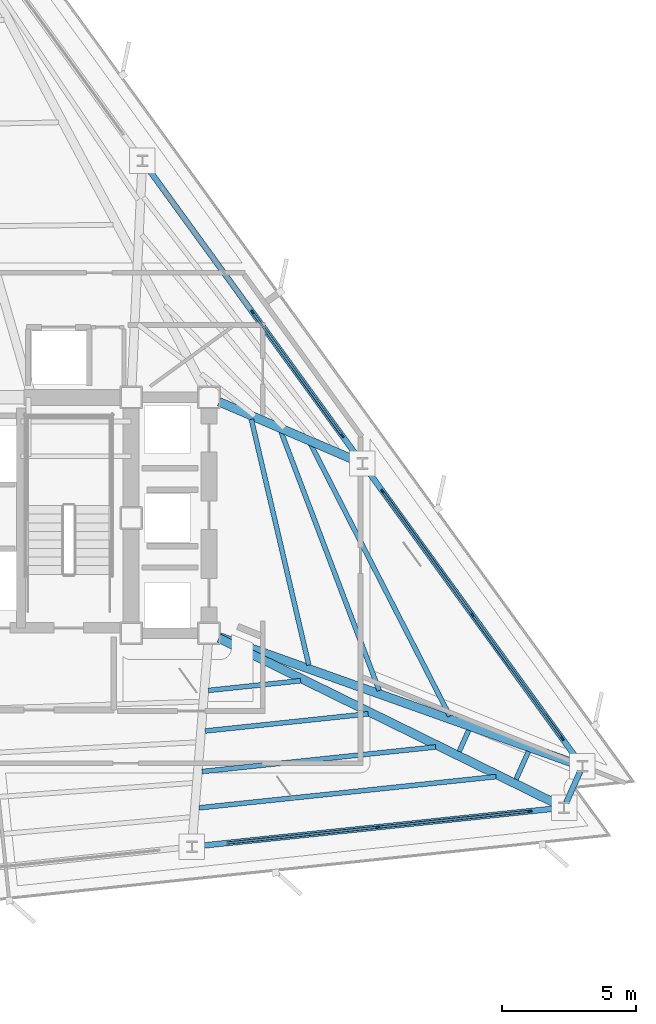
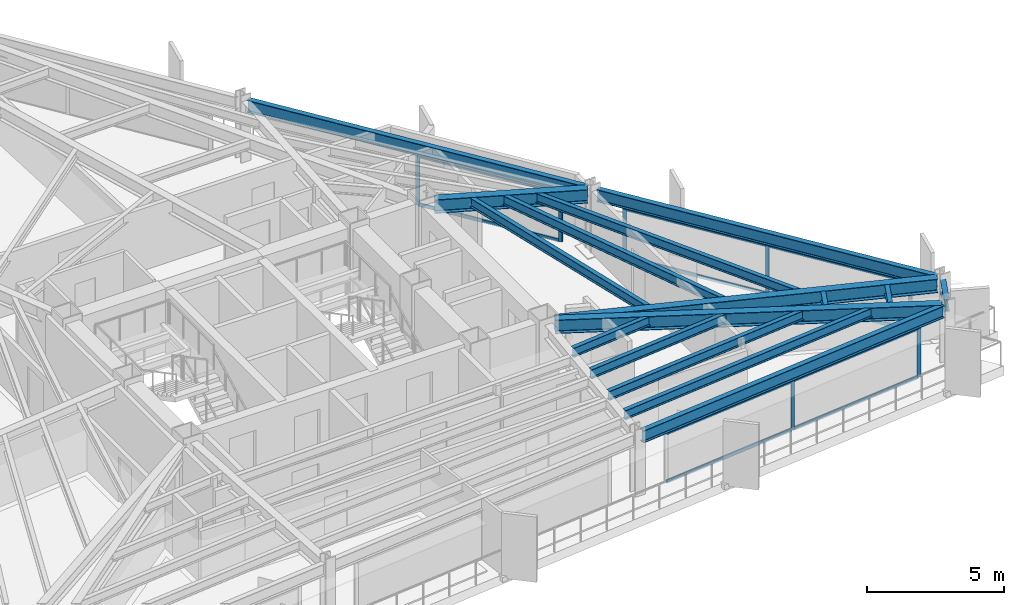
# One storey, part 5 of 12: 17 members, 16 beams, 3 elements without a shape of their own.
"""IFC4 building model written with IfcOpenShell, lengths in metres."""

from ifc_helpers import new_model, si_unit, direction, frame, origin, origin_2d, place, context, subcontext, project, spatial, rectangle, i_section, extrude, material, layer, layer_set, material_profile, profile_set, type_object, element, aggregate, save


model = new_model("IFC4")

# Units and contexts
model_context = context("Model", 3, precision=1e-05, world=origin(), true_north=direction((0.0, 1.0)))
body_context = subcontext(model_context, "Body", "Model", "MODEL_VIEW")
ifc_project = project(units=[si_unit("LENGTHUNIT", "METRE"), si_unit("AREAUNIT", "SQUARE_METRE"), si_unit("VOLUMEUNIT", "CUBIC_METRE"), si_unit("PLANEANGLEUNIT", "RADIAN"), si_unit("MASSUNIT", "GRAM", prefix="KILO")], contexts=[model_context])

# Site, building, storey
site_placement = place(None, origin())
site = spatial("IfcSite", under=ifc_project, at=site_placement, CompositionType="ELEMENT")
building_placement = place(site_placement, origin())
building = spatial("IfcBuilding", under=site, at=building_placement, Name="Rocaltana Carrier Exchange", CompositionType="ELEMENT")
storey_placement = place(building_placement, frame((0.0, 0.0, 104.639892578125)))
storey = spatial("IfcBuildingStorey", under=building, at=storey_placement, Name="L32", CompositionType="ELEMENT", Elevation=104.639892578125)

# Curtain wall, members
ifc_material_1 = material(Name="Aluminium 6063-T6", Category="aluminium")
ifc_layer = layer(ifc_material_1, 0.14990234375)
ifc_layer_set = layer_set([ifc_layer], Name="Aluminium 6063-T6")
curtain_wall_type = type_object("IfcCurtainWallType", Name="Mid-Tower Unitised Curtain Wall CW-03", PredefinedType="NOTDEFINED", material=ifc_layer_set)
curtain_wall_1_placement = place(storey_placement, origin())
curtain_wall_1 = element("IfcCurtainWall", 1, at=curtain_wall_1_placement, inside=storey, type_object=curtain_wall_type, Name="L32 CW-03 Run CW-L32-F1S1", PredefinedType="NOTDEFINED")
ifc_material_2 = material(Name="Aluminium 6063-T6", Category="aluminium")
ifc_material_profile_1 = material_profile(ifc_material_2, rectangle(XDim=0.06005859375, YDim=0.14990234375, at=origin_2d()), Name="AL-60X150")
ifc_profile_set_1 = profile_set([ifc_material_profile_1], Name="Aluminium 6063-T6")
member_type_1 = type_object("IfcMemberType", Name="CW-03 Mullion AL-60X150", PredefinedType="MULLION", material=ifc_profile_set_1)
member_1_placement = place(storey_placement, frame((22.13427734375, -8.23193359375, 0.0), z_axis=(0.0, 0.0, 1.0), x_axis=(-0.809013555195, -0.587789985889, 0.0)))
member_1 = element("IfcMember", 2, at=member_1_placement, type_object=member_type_1, Name="CW-03 mullion 1", PredefinedType="MULLION", context=body_context, shape_type="SweptSolid", body=[
    extrude(rectangle(XDim=0.06005859375, YDim=0.14990234375, at=origin_2d()), origin(), (0.0, 0.0, 1.0), 2.218017578125),
])
member_2_placement = place(storey_placement, frame((18.781982421875, -3.617919921875, 0.0), z_axis=(0.0, 0.0, 1.0), x_axis=(-0.809013555195, -0.587789985889, 0.0)))
member_2 = element("IfcMember", 3, at=member_2_placement, type_object=member_type_1, Name="CW-03 mullion 2", PredefinedType="MULLION", context=body_context, shape_type="SweptSolid", body=[
    extrude(rectangle(XDim=0.06005859375, YDim=0.14990234375, at=origin_2d()), origin(), (0.0, 0.0, 1.0), 2.218017578125),
])
member_3_placement = place(storey_placement, frame((15.429443359375, 0.99609375, 0.0), z_axis=(0.0, 0.0, 1.0), x_axis=(-0.809013555195, -0.587789985889, 0.0)))
member_3 = element("IfcMember", 4, at=member_3_placement, type_object=member_type_1, Name="CW-03 mullion 3", PredefinedType="MULLION", context=body_context, shape_type="SweptSolid", body=[
    extrude(rectangle(XDim=0.06005859375, YDim=0.14990234375, at=origin_2d()), origin(), (0.0, 0.0, 1.0), 2.218017578125),
])

curtain_wall_2_placement = place(storey_placement, origin())
curtain_wall_2 = element("IfcCurtainWall", 5, at=curtain_wall_2_placement, inside=storey, type_object=curtain_wall_type, Name="L32 CW-03 Run CW-L32-F1S2", PredefinedType="NOTDEFINED")
member_4_placement = place(storey_placement, frame((13.9248046875, 3.0673828125, 0.0), z_axis=(0.0, 0.0, 1.0), x_axis=(-0.809013555195, -0.587789985889, 0.0)))
member_4 = element("IfcMember", 6, at=member_4_placement, type_object=member_type_1, Name="CW-03 mullion 1", PredefinedType="MULLION", context=body_context, shape_type="SweptSolid", body=[
    extrude(rectangle(XDim=0.06005859375, YDim=0.14990234375, at=origin_2d()), origin(), (0.0, 0.0, 1.0), 2.218017578125),
])
member_5_placement = place(storey_placement, frame((10.572509765625, 7.681396484375, 0.0), z_axis=(0.0, 0.0, 1.0), x_axis=(-0.809013555195, -0.587789985889, 0.0)))
member_5 = element("IfcMember", 7, at=member_5_placement, type_object=member_type_1, Name="CW-03 mullion 2", PredefinedType="MULLION", context=body_context, shape_type="SweptSolid", body=[
    extrude(rectangle(XDim=0.06005859375, YDim=0.14990234375, at=origin_2d()), origin(), (0.0, 0.0, 1.0), 2.218017578125),
])

curtain_wall_3_placement = place(storey_placement, origin())
curtain_wall_3 = element("IfcCurtainWall", 8, at=curtain_wall_3_placement, inside=storey, type_object=curtain_wall_type, Name="L32 CW-03 Run CW-L32-F3S3", PredefinedType="NOTDEFINED")
member_6_placement = place(storey_placement, frame((15.256103515625, -11.536865234375, 0.0), z_axis=(0.0, 0.0, 1.0), x_axis=(-0.104521806959, 0.994522594952, 0.0)))
member_6 = element("IfcMember", 9, at=member_6_placement, type_object=member_type_1, Name="CW-03 mullion 2", PredefinedType="MULLION", context=body_context, shape_type="SweptSolid", body=[
    extrude(rectangle(XDim=0.06005859375, YDim=0.14990234375, at=origin_2d()), origin(), (0.0, 0.0, 1.0), 2.218017578125),
])
member_7_placement = place(storey_placement, frame((20.92822265625, -10.940673828125, 0.0), z_axis=(0.0, 0.0, 1.0), x_axis=(-0.104521806959, 0.994522594952, 0.0)))
member_7 = element("IfcMember", 10, at=member_7_placement, type_object=member_type_1, Name="CW-03 mullion 3", PredefinedType="MULLION", context=body_context, shape_type="SweptSolid", body=[
    extrude(rectangle(XDim=0.06005859375, YDim=0.14990234375, at=origin_2d()), origin(), (0.0, 0.0, 1.0), 2.218017578125),
])

# Member
ifc_material_3 = material(Name="Aluminium 6063-T6", Category="aluminium")
ifc_material_profile_2 = material_profile(ifc_material_3, rectangle(XDim=0.06005859375, YDim=0.14990234375, at=origin_2d()), Name="AL-60X150")
ifc_profile_set_2 = profile_set([ifc_material_profile_2], Name="Aluminium 6063-T6")
member_type_2 = type_object("IfcMemberType", Name="CW-03 Transom AL-60X150", PredefinedType="USERDEFINED", material=ifc_profile_set_2)
member_8_placement = place(storey_placement, frame((22.11669921875, -8.207763671875, 0.030029296875), z_axis=(-0.587803791035, 0.809003524866, 0.0), x_axis=(-0.809003524866, -0.587803791035, 0.0)))
member_8 = element("IfcMember", 11, at=member_8_placement, type_object=member_type_2, Name="CW-03 transom 1.1", ObjectType="TRANSOM", PredefinedType="USERDEFINED", context=body_context, shape_type="SweptSolid", body=[
    extrude(rectangle(XDim=0.06005859375, YDim=0.14990234375, at=origin_2d()), origin(), (0.0, 0.0, 1.0), 5.643310546875),
])

member_9_placement = place(storey_placement, frame((22.11669921875, -8.207763671875, 2.18798828125), z_axis=(-0.587803791035, 0.809003524866, 0.0), x_axis=(-0.809003524866, -0.587803791035, 0.0)))
member_9 = element("IfcMember", 12, at=member_9_placement, type_object=member_type_2, Name="CW-03 transom 1.2", ObjectType="TRANSOM", PredefinedType="USERDEFINED", context=body_context, shape_type="SweptSolid", body=[
    extrude(rectangle(XDim=0.06005859375, YDim=0.14990234375, at=origin_2d()), origin(), (0.0, 0.0, 1.0), 5.643310546875),
])

member_10_placement = place(storey_placement, frame((18.76416015625, -3.59375, 0.030029296875), z_axis=(-0.587754903167, 0.809039043436, 0.0), x_axis=(-0.809039043436, -0.587754903167, 0.0)))
member_10 = element("IfcMember", 13, at=member_10_placement, type_object=member_type_2, Name="CW-03 transom 2.1", ObjectType="TRANSOM", PredefinedType="USERDEFINED", context=body_context, shape_type="SweptSolid", body=[
    extrude(rectangle(XDim=0.06005859375, YDim=0.14990234375, at=origin_2d()), origin(), (0.0, 0.0, 1.0), 5.643310546875),
])

member_11_placement = place(storey_placement, frame((18.76416015625, -3.59375, 2.18798828125), z_axis=(-0.587754903167, 0.809039043436, 0.0), x_axis=(-0.809039043436, -0.587754903167, 0.0)))
member_11 = element("IfcMember", 14, at=member_11_placement, type_object=member_type_2, Name="CW-03 transom 2.2", ObjectType="TRANSOM", PredefinedType="USERDEFINED", context=body_context, shape_type="SweptSolid", body=[
    extrude(rectangle(XDim=0.06005859375, YDim=0.14990234375, at=origin_2d()), origin(), (0.0, 0.0, 1.0), 5.643310546875),
])

aggregate(curtain_wall_1, [member_1, member_2, member_3, member_8, member_9, member_10, member_11])

member_12_placement = place(storey_placement, frame((13.9072265625, 3.091552734375, 0.030029296875), z_axis=(-0.587803791035, 0.809003524866, 0.0), x_axis=(-0.809003524866, -0.587803791035, 0.0)))
member_12 = element("IfcMember", 15, at=member_12_placement, type_object=member_type_2, Name="CW-03 transom 1.1", ObjectType="TRANSOM", PredefinedType="USERDEFINED", context=body_context, shape_type="SweptSolid", body=[
    extrude(rectangle(XDim=0.06005859375, YDim=0.14990234375, at=origin_2d()), origin(), (0.0, 0.0, 1.0), 5.643310546875),
])

member_13_placement = place(storey_placement, frame((13.9072265625, 3.091552734375, 2.18798828125), z_axis=(-0.587803791035, 0.809003524866, 0.0), x_axis=(-0.809003524866, -0.587803791035, 0.0)))
member_13 = element("IfcMember", 16, at=member_13_placement, type_object=member_type_2, Name="CW-03 transom 1.2", ObjectType="TRANSOM", PredefinedType="USERDEFINED", context=body_context, shape_type="SweptSolid", body=[
    extrude(rectangle(XDim=0.06005859375, YDim=0.14990234375, at=origin_2d()), origin(), (0.0, 0.0, 1.0), 5.643310546875),
])

aggregate(curtain_wall_2, [member_4, member_5, member_12, member_13])

member_14_placement = place(storey_placement, frame((9.614013671875, -12.129638671875, 0.030029296875), z_axis=(0.99452250772, 0.104522636969, 0.0), x_axis=(-0.104522636969, 0.99452250772, 0.0)))
member_14 = element("IfcMember", 17, at=member_14_placement, type_object=member_type_2, Name="CW-03 transom 1.1", ObjectType="TRANSOM", PredefinedType="USERDEFINED", context=body_context, shape_type="SweptSolid", body=[
    extrude(rectangle(XDim=0.06005859375, YDim=0.14990234375, at=origin_2d()), origin(), (0.0, 0.0, 1.0), 5.643310546875),
])

member_15_placement = place(storey_placement, frame((9.614013671875, -12.129638671875, 2.18798828125), z_axis=(0.99452250772, 0.104522636969, 0.0), x_axis=(-0.104522636969, 0.99452250772, 0.0)))
member_15 = element("IfcMember", 18, at=member_15_placement, type_object=member_type_2, Name="CW-03 transom 1.2", ObjectType="TRANSOM", PredefinedType="USERDEFINED", context=body_context, shape_type="SweptSolid", body=[
    extrude(rectangle(XDim=0.06005859375, YDim=0.14990234375, at=origin_2d()), origin(), (0.0, 0.0, 1.0), 5.643310546875),
])

member_16_placement = place(storey_placement, frame((15.285888671875, -11.53369140625, 0.030029296875), z_axis=(0.994522980333, 0.104518140001, 0.0), x_axis=(-0.104518140001, 0.994522980333, 0.0)))
member_16 = element("IfcMember", 19, at=member_16_placement, type_object=member_type_2, Name="CW-03 transom 2.1", ObjectType="TRANSOM", PredefinedType="USERDEFINED", context=body_context, shape_type="SweptSolid", body=[
    extrude(rectangle(XDim=0.06005859375, YDim=0.14990234375, at=origin_2d()), origin(), (0.0, 0.0, 1.0), 5.6435546875),
])

member_17_placement = place(storey_placement, frame((15.285888671875, -11.53369140625, 2.18798828125), z_axis=(0.994522980333, 0.104518140001, 0.0), x_axis=(-0.104518140001, 0.994522980333, 0.0)))
member_17 = element("IfcMember", 20, at=member_17_placement, type_object=member_type_2, Name="CW-03 transom 2.2", ObjectType="TRANSOM", PredefinedType="USERDEFINED", context=body_context, shape_type="SweptSolid", body=[
    extrude(rectangle(XDim=0.06005859375, YDim=0.14990234375, at=origin_2d()), origin(), (0.0, 0.0, 1.0), 5.6435546875),
])

aggregate(curtain_wall_3, [member_6, member_7, member_14, member_15, member_16, member_17])

# Beams
ifc_material_4 = material(Name="Steel S355", Category="steel")
ifc_material_profile_3 = material_profile(ifc_material_4, i_section(OverallWidth=0.179931640625, OverallDepth=0.4130859375, WebThickness=0.009765625, FlangeThickness=0.01611328125, FilletRadius=0.012939453125, at=origin_2d()), Name="W16X50")
ifc_profile_set_3 = profile_set([ifc_material_profile_3], Name="Steel S355")
beam_type_1 = type_object("IfcBeamType", Name="Floor Joist W16X50", PredefinedType="JOIST", material=ifc_profile_set_3)
beam_1_placement = place(storey_placement, frame((12.67724609375, -5.489501953125, 2.58154296875), z_axis=(-0.227766297883, 0.973715827924, 0.0), x_axis=(-0.973715827924, -0.227766297883, 0.0)))
element("IfcBeam", 21, at=beam_1_placement, inside=storey, type_object=beam_type_1, Name="FJ-L32-01-1", PredefinedType="JOIST", context=body_context, shape_type="SweptSolid", body=[
    extrude(i_section(OverallWidth=0.179931640625, OverallDepth=0.4130859375, WebThickness=0.009765625, FlangeThickness=0.01611328125, FilletRadius=0.012939453125, at=origin_2d()), origin(), (0.0, 0.0, 1.0), 9.418701171875),
])
beam_2_placement = place(storey_placement, frame((15.305419921875, -6.439208984375, 2.58154296875), z_axis=(-0.35483732757, 0.934928056571, 0.0), x_axis=(-0.934928056571, -0.35483732757, 0.0)))
element("IfcBeam", 22, at=beam_2_placement, inside=storey, type_object=beam_type_1, Name="FJ-L32-01-2", PredefinedType="JOIST", context=body_context, shape_type="SweptSolid", body=[
    extrude(i_section(OverallWidth=0.179931640625, OverallDepth=0.4130859375, WebThickness=0.009765625, FlangeThickness=0.01611328125, FilletRadius=0.012939453125, at=origin_2d()), origin(), (0.0, 0.0, 1.0), 10.330078125),
])
beam_3_placement = place(storey_placement, frame((17.937744140625, -7.39013671875, 2.58154296875), z_axis=(-0.455649490969, 0.890159278657, 0.0), x_axis=(-0.890159278657, -0.455649490969, 0.0)))
element("IfcBeam", 23, at=beam_3_placement, inside=storey, type_object=beam_type_1, Name="FJ-L32-01-3", PredefinedType="JOIST", context=body_context, shape_type="SweptSolid", body=[
    extrude(i_section(OverallWidth=0.179931640625, OverallDepth=0.4130859375, WebThickness=0.009765625, FlangeThickness=0.01611328125, FilletRadius=0.012939453125, at=origin_2d()), origin(), (0.0, 0.0, 1.0), 11.398681640625),
])
beam_4_placement = place(storey_placement, frame((8.9326171875, -6.434814453125, 2.58154296875), z_axis=(0.994514730504, 0.104596609936, 0.0), x_axis=(-0.104596609936, 0.994514730504, 0.0)))
element("IfcBeam", 24, at=beam_4_placement, inside=storey, type_object=beam_type_1, Name="FJ-L32-11-1", PredefinedType="JOIST", context=body_context, shape_type="SweptSolid", body=[
    extrude(i_section(OverallWidth=0.179931640625, OverallDepth=0.4130859375, WebThickness=0.009765625, FlangeThickness=0.01611328125, FilletRadius=0.012939453125, at=origin_2d()), origin(), (0.0, 0.0, 1.0), 3.459228515625),
])
beam_5_placement = place(storey_placement, frame((8.811279296875, -7.948486328125, 2.58154296875), z_axis=(0.994518139026, 0.104564196304, 0.0), x_axis=(-0.104564196304, 0.994518139026, 0.0)))
element("IfcBeam", 25, at=beam_5_placement, inside=storey, type_object=beam_type_1, Name="FJ-L32-11-2", PredefinedType="JOIST", context=body_context, shape_type="SweptSolid", body=[
    extrude(i_section(OverallWidth=0.179931640625, OverallDepth=0.4130859375, WebThickness=0.009765625, FlangeThickness=0.01611328125, FilletRadius=0.012939453125, at=origin_2d()), origin(), (0.0, 0.0, 1.0), 6.112548828125),
])
beam_6_placement = place(storey_placement, frame((8.68994140625, -9.4619140625, 2.58154296875), z_axis=(0.994522683524, 0.104520964191, 0.0), x_axis=(-0.104520964191, 0.994522683524, 0.0)))
element("IfcBeam", 26, at=beam_6_placement, inside=storey, type_object=beam_type_1, Name="FJ-L32-11-3", PredefinedType="JOIST", context=body_context, shape_type="SweptSolid", body=[
    extrude(i_section(OverallWidth=0.179931640625, OverallDepth=0.4130859375, WebThickness=0.009765625, FlangeThickness=0.01611328125, FilletRadius=0.012939453125, at=origin_2d()), origin(), (0.0, 0.0, 1.0), 8.766357421875),
])
beam_7_placement = place(storey_placement, frame((8.581298828125, -10.81640625, 2.58154296875), z_axis=(0.994521531783, 0.104531922494, 0.0), x_axis=(-0.104531922494, 0.994521531783, 0.0)))
element("IfcBeam", 27, at=beam_7_placement, inside=storey, type_object=beam_type_1, Name="FJ-L32-11-4", PredefinedType="JOIST", context=body_context, shape_type="SweptSolid", body=[
    extrude(i_section(OverallWidth=0.179931640625, OverallDepth=0.4130859375, WebThickness=0.009765625, FlangeThickness=0.01611328125, FilletRadius=0.012939453125, at=origin_2d()), origin(), (0.0, 0.0, 1.0), 11.140625),
])
beam_8_placement = place(storey_placement, frame((18.289306640625, -8.71240234375, 2.58154296875), z_axis=(0.406686773762, 0.913567659261, 0.0), x_axis=(-0.913567659261, 0.406686773762, 0.0)))
element("IfcBeam", 28, at=beam_8_placement, inside=storey, type_object=beam_type_1, Name="FJ-L32-12-3", PredefinedType="JOIST", context=body_context, shape_type="SweptSolid", body=[
    extrude(i_section(OverallWidth=0.179931640625, OverallDepth=0.4130859375, WebThickness=0.009765625, FlangeThickness=0.01611328125, FilletRadius=0.012939453125, at=origin_2d()), origin(), (0.0, 0.0, 1.0), 0.867431640625),
])
beam_9_placement = place(storey_placement, frame((20.409423828125, -9.75341796875, 2.58154296875), z_axis=(0.40683553357, 0.913501422344, 0.0), x_axis=(-0.913501422344, 0.40683553357, 0.0)))
element("IfcBeam", 29, at=beam_9_placement, inside=storey, type_object=beam_type_1, Name="FJ-L32-12-4", PredefinedType="JOIST", context=body_context, shape_type="SweptSolid", body=[
    extrude(i_section(OverallWidth=0.179931640625, OverallDepth=0.4130859375, WebThickness=0.009765625, FlangeThickness=0.01611328125, FilletRadius=0.012939453125, at=origin_2d()), origin(), (0.0, 0.0, 1.0), 1.13720703125),
])
ifc_material_5 = material(Name="Steel S355", Category="steel")
ifc_material_profile_4 = material_profile(ifc_material_5, i_section(OverallWidth=0.323974609375, OverallDepth=0.611083984375, WebThickness=0.0126953125, FlangeThickness=0.01904296875, FilletRadius=0.01611328125, at=origin_2d()), Name="W24X104")
ifc_profile_set_4 = profile_set([ifc_material_profile_4], Name="Steel S355")
beam_type_2 = type_object("IfcBeamType", Name="Radial Girder W24X104", PredefinedType="BEAM", material=ifc_profile_set_4)
beam_10_placement = place(storey_placement, frame((9.3427734375, -4.43994140625, 2.482666015625), z_axis=(0.941948954034, -0.335756113861, 0.0), x_axis=(0.335756113861, 0.941948954034, 0.0)))
element("IfcBeam", 30, at=beam_10_placement, inside=storey, type_object=beam_type_2, Name="RG-L32-01", PredefinedType="BEAM", context=body_context, shape_type="SweptSolid", body=[
    extrude(i_section(OverallWidth=0.323974609375, OverallDepth=0.611083984375, WebThickness=0.0126953125, FlangeThickness=0.01904296875, FilletRadius=0.01611328125, at=origin_2d()), origin(), (0.0, 0.0, 1.0), 14.1806640625),
])
beam_11_placement = place(storey_placement, frame((9.3330078125, 4.3349609375, 2.482666015625), z_axis=(0.918343410817, -0.395784511836, 0.0), x_axis=(0.395784511836, 0.918343410817, 0.0)))
element("IfcBeam", 31, at=beam_11_placement, inside=storey, type_object=beam_type_2, Name="RG-L32-02", PredefinedType="BEAM", context=body_context, shape_type="SweptSolid", body=[
    extrude(i_section(OverallWidth=0.323974609375, OverallDepth=0.611083984375, WebThickness=0.0126953125, FlangeThickness=0.01904296875, FilletRadius=0.01611328125, at=origin_2d()), origin(), (0.0, 0.0, 1.0), 5.621337890625),
])
beam_12_placement = place(storey_placement, frame((9.32421875, -4.48388671875, 2.482666015625), z_axis=(0.897627517293, -0.440754852722, 0.0), x_axis=(0.440754852722, 0.897627517293, 0.0)))
element("IfcBeam", 32, at=beam_12_placement, inside=storey, type_object=beam_type_2, Name="RG-L32-12", PredefinedType="BEAM", context=body_context, shape_type="SweptSolid", body=[
    extrude(i_section(OverallWidth=0.323974609375, OverallDepth=0.611083984375, WebThickness=0.0126953125, FlangeThickness=0.01904296875, FilletRadius=0.01611328125, at=origin_2d()), origin(), (0.0, 0.0, 1.0), 14.1474609375),
])
ifc_material_6 = material(Name="Steel S355", Category="steel")
ifc_material_profile_5 = material_profile(ifc_material_6, i_section(OverallWidth=0.2119140625, OverallDepth=0.5439453125, WebThickness=0.01318359375, FlangeThickness=0.021240234375, FilletRadius=0.014892578125, at=origin_2d()), Name="W21X83")
ifc_profile_set_5 = profile_set([ifc_material_profile_5], Name="Steel S355")
beam_type_3 = type_object("IfcBeamType", Name="Spandrel Edge Beam W21X83", PredefinedType="SPANDREL", material=ifc_profile_set_5)
for number, where, z_axis, x_axis, name in (
    (33, (22.770263671875, -9.107421875, 2.51611328125), (-0.587777981524, 0.809022276847, 0.0), (-0.809022276847, -0.587777981524, 0.0), "SP-L32-01"),
    (34, (14.560791015625, 2.19189453125, 2.51611328125), (-0.587777981524, 0.809022276847, 0.0), (-0.809022276847, -0.587777981524, 0.0), "SP-L32-02"),
    (35, (8.508056640625, -12.24609375, 2.51611328125), (0.99452052486, 0.104541501962, 0.0), (-0.104541501962, 0.99452052486, 0.0), "SP-L32-11"),
):
    element("IfcBeam", number, at=place(storey_placement, frame(where, z_axis=z_axis, x_axis=x_axis)), inside=storey, type_object=beam_type_3, Name=name, PredefinedType="SPANDREL", context=body_context, shape_type="SweptSolid", body=[
        extrude(i_section(OverallWidth=0.2119140625, OverallDepth=0.5439453125, WebThickness=0.01318359375, FlangeThickness=0.021240234375, FilletRadius=0.014892578125, at=origin_2d()), origin(), (0.0, 0.0, 1.0), 13.57080078125),
    ])
beam_13_placement = place(storey_placement, frame((22.28173828125, -10.6259765625, 2.51611328125), z_axis=(0.40684129116, 0.913498858131, 0.0), x_axis=(-0.913498858131, 0.40684129116, 0.0)))
element("IfcBeam", 36, at=beam_13_placement, inside=storey, type_object=beam_type_3, Name="SP-L32-12", PredefinedType="SPANDREL", context=body_context, shape_type="SweptSolid", body=[
    extrude(i_section(OverallWidth=0.2119140625, OverallDepth=0.5439453125, WebThickness=0.01318359375, FlangeThickness=0.021240234375, FilletRadius=0.014892578125, at=origin_2d()), origin(), (0.0, 0.0, 1.0), 1.2890625),
])

save(model, "model.ifc")
